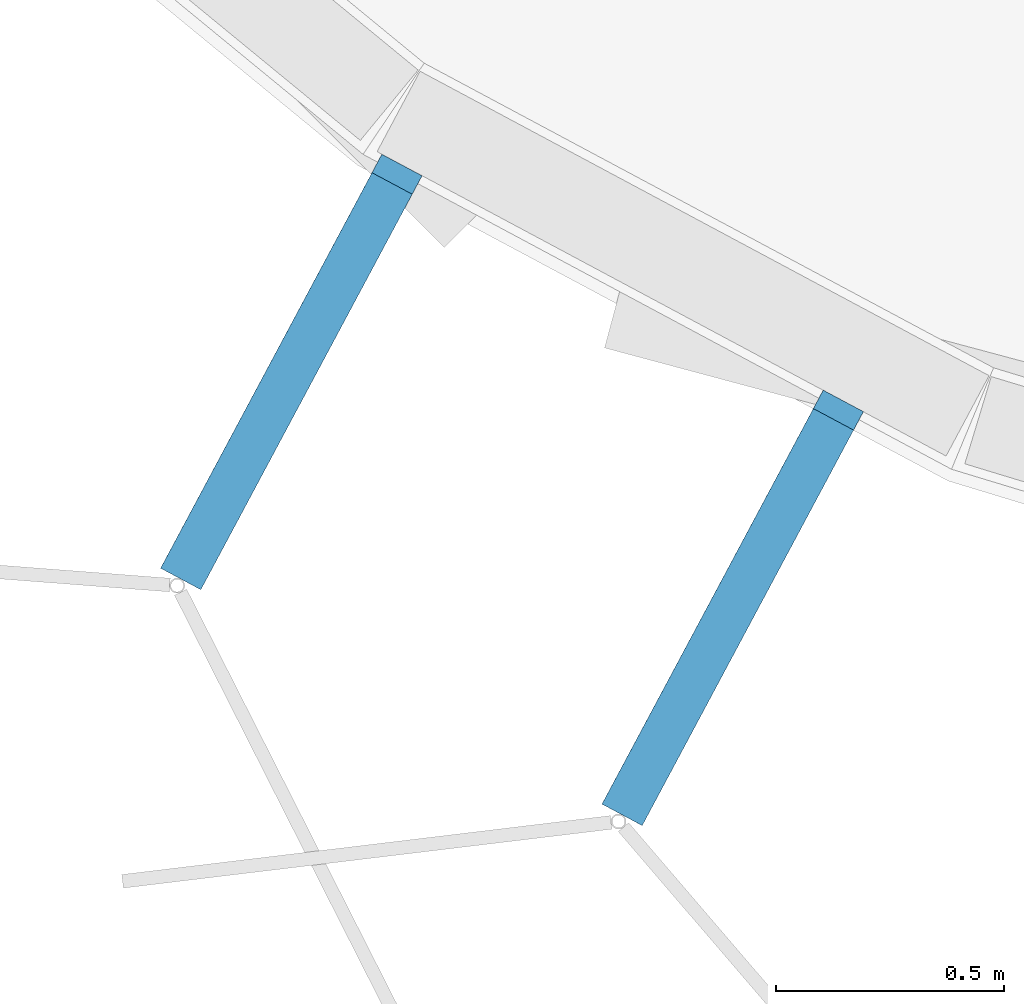
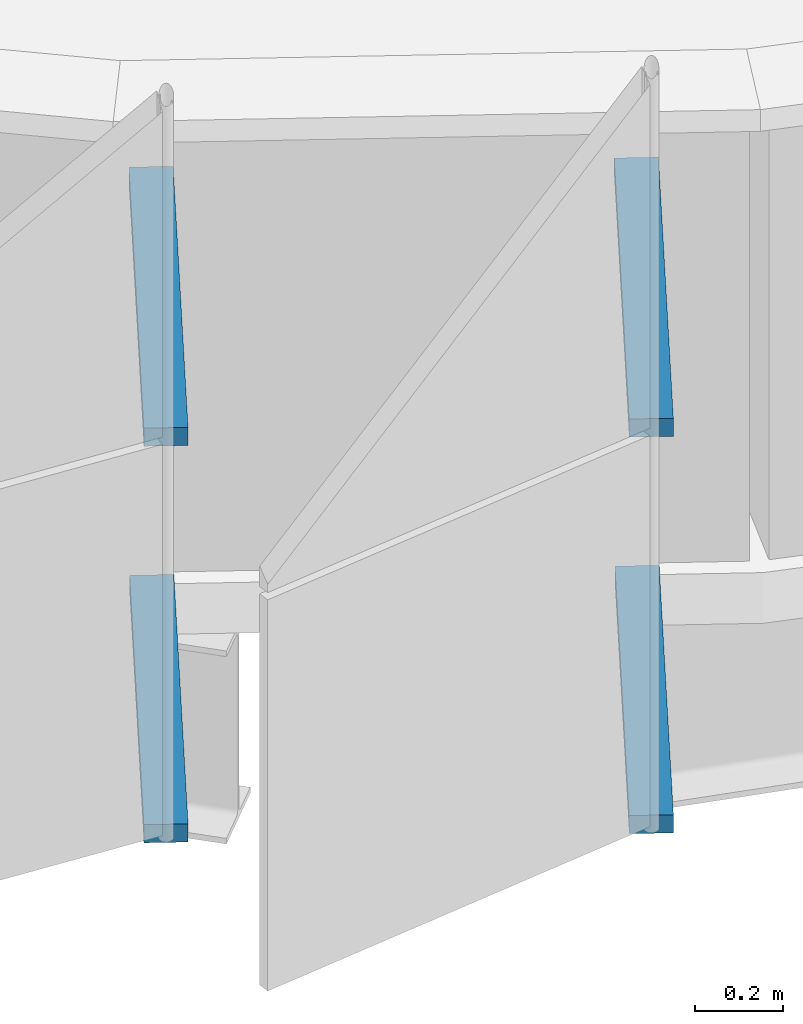
# One storey, part 165 of 483: 4 discrete accessories.
"""IFC4 building model written with IfcOpenShell, lengths in metres."""

from ifc_helpers import new_model, si_unit, direction, frame, origin, origin_2d, place, context, subcontext, project, spatial, rectangle, extrude, material, type_object, element, save


model = new_model("IFC4")

# Units and contexts
model_context = context("Model", 3, precision=1e-05, world=origin(), true_north=direction((0.0, 1.0)))
body_context = subcontext(model_context, "Body", "Model", "MODEL_VIEW")
ifc_project = project(units=[si_unit("LENGTHUNIT", "METRE"), si_unit("AREAUNIT", "SQUARE_METRE"), si_unit("VOLUMEUNIT", "CUBIC_METRE"), si_unit("PLANEANGLEUNIT", "RADIAN"), si_unit("MASSUNIT", "GRAM", prefix="KILO")], contexts=[model_context])

# Site, building, storey
site_placement = place(None, origin())
site = spatial("IfcSite", under=ifc_project, at=site_placement, CompositionType="ELEMENT")
building_placement = place(site_placement, origin())
building = spatial("IfcBuilding", under=site, at=building_placement, Name="Parallax Yard Mobility Hub", CompositionType="ELEMENT")
storey_placement = place(building_placement, frame((0.0, 0.0, 13.199951171875)))
storey = spatial("IfcBuildingStorey", under=building, at=storey_placement, Name="L04", CompositionType="ELEMENT", Elevation=13.199951171875)

# Discrete accessories
ifc_material = material(Name="Steel ASTM A36, hot-dip galvanised", Category="steel")
discrete_accessory_type = type_object("IfcDiscreteAccessoryType", Name="Hinge bracket plate 100x50", PredefinedType="BRACKET", material=ifc_material)
discrete_accessory_1_placement = place(storey_placement, frame((198.177490234375, 23.289794921875, -0.02490234375), z_axis=(0.0, 0.0, 1.0), x_axis=(-0.471396736826, -0.881921264348, 0.0)))
element("IfcDiscreteAccessory", 1, at=discrete_accessory_1_placement, inside=storey, type_object=discrete_accessory_type, Name="Hinge bracket plate bay 30.8 level L04", PredefinedType="BRACKET", context=body_context, shape_type="SweptSolid", body=[
    extrude(rectangle(XDim=0.984130859375, YDim=0.10009765625, at=origin_2d()), origin(), (0.0, 0.0, 1.0), 0.050048828125),
])
discrete_accessory_2_placement = place(storey_placement, frame((198.188232421875, 23.31005859375, 1.06982421875), z_axis=(0.0, 0.0, 1.0), x_axis=(-0.471396736826, -0.881921264348, 0.0)))
element("IfcDiscreteAccessory", 2, at=discrete_accessory_2_placement, inside=storey, type_object=discrete_accessory_type, Name="Hinge bracket plate bay 30.8 level L04", PredefinedType="BRACKET", context=body_context, shape_type="SweptSolid", body=[
    extrude(rectangle(XDim=1.030029296875, YDim=0.10009765625, at=origin_2d()), origin(), (0.0, 0.0, 1.0), 0.050048828125),
])
discrete_accessory_3_placement = place(storey_placement, frame((199.14599609375, 22.772216796875, -0.02490234375), z_axis=(0.0, 0.0, 1.0), x_axis=(-0.471396736826, -0.881921264348, 0.0)))
element("IfcDiscreteAccessory", 3, at=discrete_accessory_3_placement, inside=storey, type_object=discrete_accessory_type, Name="Hinge bracket plate bay 30.9 level L04", PredefinedType="BRACKET", context=body_context, shape_type="SweptSolid", body=[
    extrude(rectangle(XDim=0.984130859375, YDim=0.10009765625, at=origin_2d()), origin(), (0.0, 0.0, 1.0), 0.050048828125),
])
discrete_accessory_4_placement = place(storey_placement, frame((199.15673828125, 22.79248046875, 1.06982421875), z_axis=(0.0, 0.0, 1.0), x_axis=(-0.471396736826, -0.881921264348, 0.0)))
element("IfcDiscreteAccessory", 4, at=discrete_accessory_4_placement, inside=storey, type_object=discrete_accessory_type, Name="Hinge bracket plate bay 30.9 level L04", PredefinedType="BRACKET", context=body_context, shape_type="SweptSolid", body=[
    extrude(rectangle(XDim=1.030029296875, YDim=0.10009765625, at=origin_2d()), origin(), (0.0, 0.0, 1.0), 0.050048828125),
])

save(model, "model.ifc")
